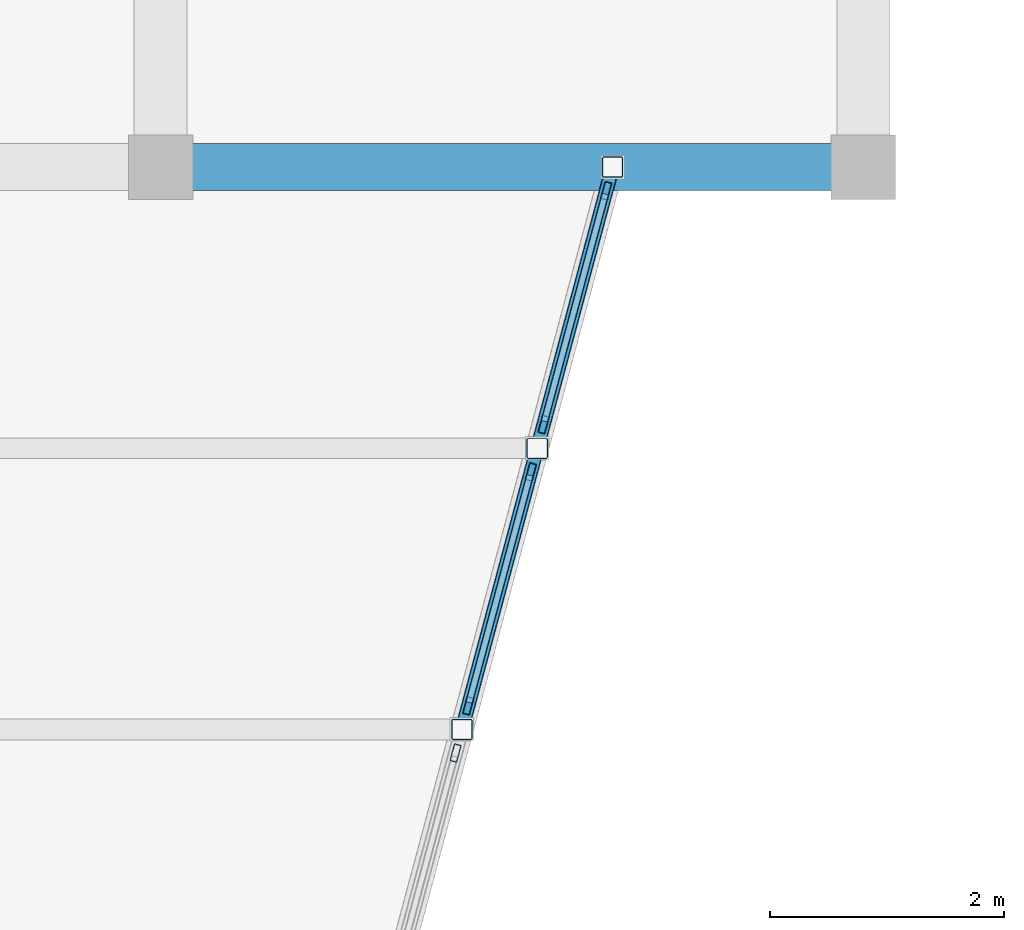
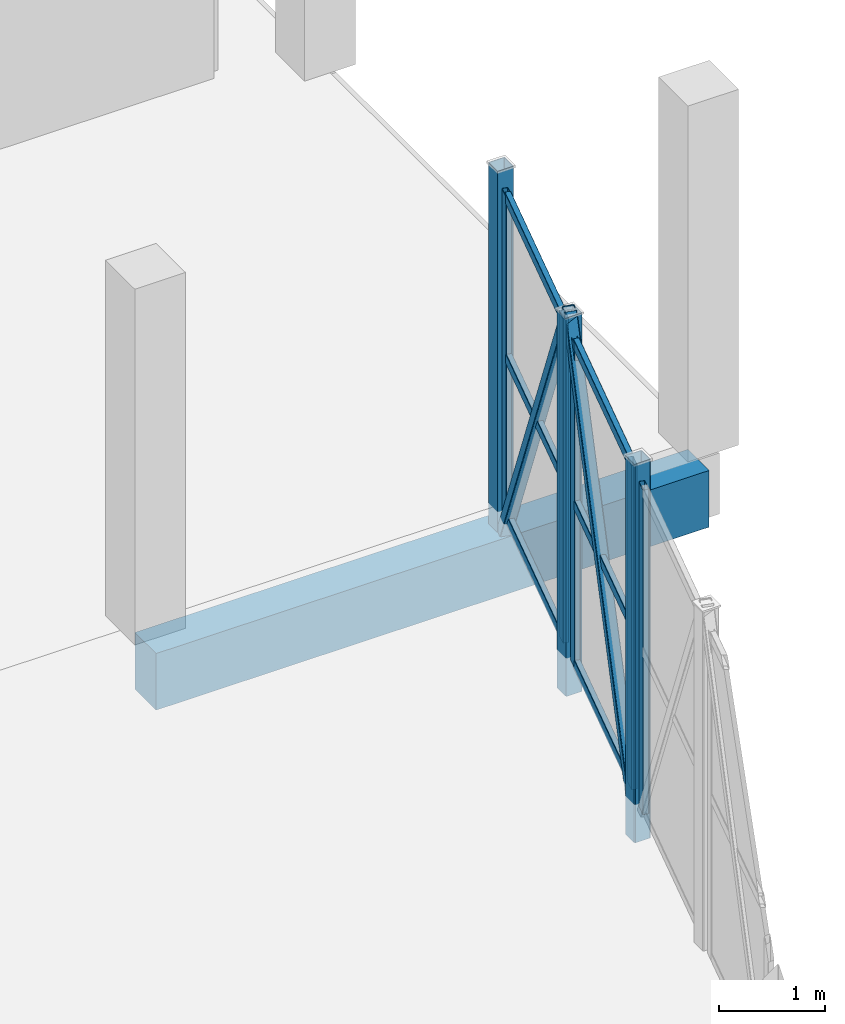
# One storey, part 90 of 127: 16 members, 1 beam, 3 elements without a shape of their own.
"""IFC4 building model written with IfcOpenShell, lengths in metres."""

from ifc_helpers import new_model, si_unit, direction, frame, origin, origin_2d, place, context, subcontext, project, spatial, rectangle, hollow_rectangle, extrude, material, layer, layer_set, material_profile, profile_set, type_object, element, aggregate, save


model = new_model("IFC4")

# Units and contexts
model_context = context("Model", 3, precision=1e-05, world=origin(), true_north=direction((0.0, 1.0)))
body_context = subcontext(model_context, "Body", "Model", "MODEL_VIEW")
ifc_project = project(units=[si_unit("LENGTHUNIT", "METRE"), si_unit("AREAUNIT", "SQUARE_METRE"), si_unit("VOLUMEUNIT", "CUBIC_METRE"), si_unit("PLANEANGLEUNIT", "RADIAN"), si_unit("MASSUNIT", "GRAM", prefix="KILO")], contexts=[model_context])

# Site, building, storey
site_placement = place(None, origin())
site = spatial("IfcSite", under=ifc_project, at=site_placement, CompositionType="ELEMENT")
building_placement = place(site_placement, origin())
building = spatial("IfcBuilding", under=site, at=building_placement, Name="Dunvalen Ferry Terminal", CompositionType="ELEMENT")
storey_placement = place(building_placement, frame((0.0, 0.0, 5.760009765625)))
storey = spatial("IfcBuildingStorey", under=building, at=storey_placement, Name="L01", CompositionType="ELEMENT", Elevation=5.760009765625)

# Curtain wall, member
ifc_material_1 = material(Name="Anodised marine aluminium and solar-control glazing", Category="aluminium")
ifc_layer = layer(ifc_material_1, 0.159912109375, Name="Anodised marine aluminium and solar-control glazing")
ifc_layer_set = layer_set([ifc_layer], Name="Anodised marine aluminium and solar-control glazing")
curtain_wall_type = type_object("IfcCurtainWallType", Name="ENV-CW-SYS-07", PredefinedType="NOTDEFINED", material=ifc_layer_set)
curtain_wall_1_placement = place(storey_placement, origin())
curtain_wall_1 = element("IfcCurtainWall", 1, at=curtain_wall_1_placement, inside=storey, type_object=curtain_wall_type, Name="L01 Curtain Wall CW-BRG2-S2-4", PredefinedType="NOTDEFINED")
ifc_material_2 = material(Name="Anodised marine aluminium EN AW-6063 T6", Category="aluminium")
ifc_material_profile_1 = material_profile(ifc_material_2, hollow_rectangle(XDim=0.06005859375, YDim=0.14990234375, WallThickness=0.00341796875, InnerFilletRadius=0.00341796875, OuterFilletRadius=0.007080078125, at=origin_2d()), Name="Anodised marine aluminium EN AW-6063 T6")
ifc_profile_set_1 = profile_set([ifc_material_profile_1], Name="Anodised marine aluminium EN AW-6063 T6")
member_type_1 = type_object("IfcMemberType", Name="ENV-CW-MUL-3", PredefinedType="MULLION", material=ifc_profile_set_1)
member_1_placement = place(storey_placement, frame((140.518310546875, 95.79833984375, 0.0), z_axis=(0.0, 0.0, 1.0), x_axis=(-0.965934620531, 0.258786222315, 0.0)))
member_1 = element("IfcMember", 2, at=member_1_placement, type_object=member_type_1, Name="CW-07 mullion 2", PredefinedType="MULLION", context=body_context, shape_type="SweptSolid", body=[
    extrude(hollow_rectangle(XDim=0.06005859375, YDim=0.14990234375, WallThickness=0.00341796875, InnerFilletRadius=0.00341796875, OuterFilletRadius=0.007080078125, at=origin_2d()), origin(), (0.0, 0.0, 1.0), 3.719970703125),
])
aggregate(curtain_wall_1, [member_1])

# Curtain wall, members
curtain_wall_2_placement = place(storey_placement, origin())
curtain_wall_2 = element("IfcCurtainWall", 3, at=curtain_wall_2_placement, inside=storey, type_object=curtain_wall_type, Name="L01 Curtain Wall CW-BRG2-S2-5", PredefinedType="NOTDEFINED")
member_2_placement = place(storey_placement, frame((140.62646484375, 96.20166015625, 0.0), z_axis=(0.0, 0.0, 1.0), x_axis=(-0.9659228666, 0.258830090561, 0.0)))
member_2 = element("IfcMember", 4, at=member_2_placement, type_object=member_type_1, Name="CW-07 mullion 1", PredefinedType="MULLION", context=body_context, shape_type="SweptSolid", body=[
    extrude(hollow_rectangle(XDim=0.06005859375, YDim=0.14990234375, WallThickness=0.00341796875, InnerFilletRadius=0.00341796875, OuterFilletRadius=0.007080078125, at=origin_2d()), origin(), (0.0, 0.0, 1.0), 3.719970703125),
])
member_3_placement = place(storey_placement, frame((141.161376953125, 98.1982421875, 0.0), z_axis=(0.0, 0.0, 1.0), x_axis=(-0.9659228666, 0.258830090561, 0.0)))
member_3 = element("IfcMember", 5, at=member_3_placement, type_object=member_type_1, Name="CW-07 mullion 2", PredefinedType="MULLION", context=body_context, shape_type="SweptSolid", body=[
    extrude(hollow_rectangle(XDim=0.06005859375, YDim=0.14990234375, WallThickness=0.00341796875, InnerFilletRadius=0.00341796875, OuterFilletRadius=0.007080078125, at=origin_2d()), origin(), (0.0, 0.0, 1.0), 3.719970703125),
])

curtain_wall_3_placement = place(storey_placement, origin())
curtain_wall_3 = element("IfcCurtainWall", 6, at=curtain_wall_3_placement, inside=storey, type_object=curtain_wall_type, Name="L01 Curtain Wall CW-BRG2-S2-6", PredefinedType="NOTDEFINED")
member_4_placement = place(storey_placement, frame((141.26953125, 98.601806640625, 0.0), z_axis=(0.0, 0.0, 1.0), x_axis=(-0.9659228666, 0.258830090561, 0.0)))
member_4 = element("IfcMember", 7, at=member_4_placement, type_object=member_type_1, Name="CW-07 mullion 1", PredefinedType="MULLION", context=body_context, shape_type="SweptSolid", body=[
    extrude(hollow_rectangle(XDim=0.06005859375, YDim=0.14990234375, WallThickness=0.00341796875, InnerFilletRadius=0.00341796875, OuterFilletRadius=0.007080078125, at=origin_2d()), origin(), (0.0, 0.0, 1.0), 3.719970703125),
])
member_5_placement = place(storey_placement, frame((141.804443359375, 100.59814453125, 0.0), z_axis=(0.0, 0.0, 1.0), x_axis=(-0.9659228666, 0.258830090561, 0.0)))
member_5 = element("IfcMember", 8, at=member_5_placement, type_object=member_type_1, Name="CW-07 mullion 2", PredefinedType="MULLION", context=body_context, shape_type="SweptSolid", body=[
    extrude(hollow_rectangle(XDim=0.06005859375, YDim=0.14990234375, WallThickness=0.00341796875, InnerFilletRadius=0.00341796875, OuterFilletRadius=0.007080078125, at=origin_2d()), origin(), (0.0, 0.0, 1.0), 3.719970703125),
])

# Member
ifc_material_profile_2 = material_profile(ifc_material_2, hollow_rectangle(XDim=0.06005859375, YDim=0.114990234375, WallThickness=0.0029296875, InnerFilletRadius=0.0029296875, OuterFilletRadius=0.006103515625, at=origin_2d()), Name="Anodised marine aluminium EN AW-6063 T6")
ifc_profile_set_2 = profile_set([ifc_material_profile_2], Name="Anodised marine aluminium EN AW-6063 T6")
member_type_2 = type_object("IfcMemberType", Name="ENV-CW-TRN-3", PredefinedType="USERDEFINED", material=ifc_profile_set_2)
member_6_placement = place(storey_placement, frame((140.634033203125, 96.230712890625, 0.030029296875), z_axis=(0.258873913014, 0.965911122806, 0.0), x_axis=(-0.965911122806, 0.258873913014, 0.0)))
member_6 = element("IfcMember", 9, at=member_6_placement, type_object=member_type_2, Name="CW-07 transom 1.1", ObjectType="TRANSOM", PredefinedType="USERDEFINED", context=body_context, shape_type="SweptSolid", body=[
    extrude(hollow_rectangle(XDim=0.06005859375, YDim=0.114990234375, WallThickness=0.0029296875, InnerFilletRadius=0.0029296875, OuterFilletRadius=0.006103515625, at=origin_2d()), origin(), (0.0, 0.0, 1.0), 2.0068359375),
])

member_7_placement = place(storey_placement, frame((140.634033203125, 96.230712890625, 1.860107421875), z_axis=(0.258873913014, 0.965911122806, 0.0), x_axis=(-0.965911122806, 0.258873913014, 0.0)))
member_7 = element("IfcMember", 10, at=member_7_placement, type_object=member_type_2, Name="CW-07 transom 1.2", ObjectType="TRANSOM", PredefinedType="USERDEFINED", context=body_context, shape_type="SweptSolid", body=[
    extrude(hollow_rectangle(XDim=0.06005859375, YDim=0.114990234375, WallThickness=0.0029296875, InnerFilletRadius=0.0029296875, OuterFilletRadius=0.006103515625, at=origin_2d()), origin(), (0.0, 0.0, 1.0), 2.0068359375),
])

member_8_placement = place(storey_placement, frame((140.634033203125, 96.230712890625, 3.68994140625), z_axis=(0.258873913014, 0.965911122806, 0.0), x_axis=(-0.965911122806, 0.258873913014, 0.0)))
member_8 = element("IfcMember", 11, at=member_8_placement, type_object=member_type_2, Name="CW-07 transom 1.3", ObjectType="TRANSOM", PredefinedType="USERDEFINED", context=body_context, shape_type="SweptSolid", body=[
    extrude(hollow_rectangle(XDim=0.06005859375, YDim=0.114990234375, WallThickness=0.0029296875, InnerFilletRadius=0.0029296875, OuterFilletRadius=0.006103515625, at=origin_2d()), origin(), (0.0, 0.0, 1.0), 2.0068359375),
])

aggregate(curtain_wall_2, [member_2, member_3, member_6, member_7, member_8])

member_9_placement = place(storey_placement, frame((141.27734375, 98.630859375, 0.030029296875), z_axis=(0.258760408924, 0.965941535898, 0.0), x_axis=(-0.965941535898, 0.258760408924, 0.0)))
member_9 = element("IfcMember", 12, at=member_9_placement, type_object=member_type_2, Name="CW-07 transom 1.1", ObjectType="TRANSOM", PredefinedType="USERDEFINED", context=body_context, shape_type="SweptSolid", body=[
    extrude(hollow_rectangle(XDim=0.06005859375, YDim=0.114990234375, WallThickness=0.0029296875, InnerFilletRadius=0.0029296875, OuterFilletRadius=0.006103515625, at=origin_2d()), origin(), (0.0, 0.0, 1.0), 2.0068359375),
])

member_10_placement = place(storey_placement, frame((141.27734375, 98.630859375, 1.860107421875), z_axis=(0.258760408924, 0.965941535898, 0.0), x_axis=(-0.965941535898, 0.258760408924, 0.0)))
member_10 = element("IfcMember", 13, at=member_10_placement, type_object=member_type_2, Name="CW-07 transom 1.2", ObjectType="TRANSOM", PredefinedType="USERDEFINED", context=body_context, shape_type="SweptSolid", body=[
    extrude(hollow_rectangle(XDim=0.06005859375, YDim=0.114990234375, WallThickness=0.0029296875, InnerFilletRadius=0.0029296875, OuterFilletRadius=0.006103515625, at=origin_2d()), origin(), (0.0, 0.0, 1.0), 2.0068359375),
])

member_11_placement = place(storey_placement, frame((141.27734375, 98.630859375, 3.68994140625), z_axis=(0.258760408924, 0.965941535898, 0.0), x_axis=(-0.965941535898, 0.258760408924, 0.0)))
member_11 = element("IfcMember", 14, at=member_11_placement, type_object=member_type_2, Name="CW-07 transom 1.3", ObjectType="TRANSOM", PredefinedType="USERDEFINED", context=body_context, shape_type="SweptSolid", body=[
    extrude(hollow_rectangle(XDim=0.06005859375, YDim=0.114990234375, WallThickness=0.0029296875, InnerFilletRadius=0.0029296875, OuterFilletRadius=0.006103515625, at=origin_2d()), origin(), (0.0, 0.0, 1.0), 2.0068359375),
])

aggregate(curtain_wall_3, [member_4, member_5, member_9, member_10, member_11])

# Beam
ifc_material_3 = material(Name="Concrete C40/50", Category="concrete")
ifc_material_profile_3 = material_profile(ifc_material_3, rectangle(XDim=0.39990234375, YDim=0.64990234375, at=origin_2d()), Name="Concrete C40/50")
ifc_profile_set_3 = profile_set([ifc_material_profile_3], Name="Concrete C40/50")
beam_type = type_object("IfcBeamType", Name="STR-BM-RCB650", PredefinedType="BEAM", material=ifc_profile_set_3)
beam_placement = place(storey_placement, frame((138.0, 100.800048828125, -0.56494140625), z_axis=(1.0, 0.0, 0.0), x_axis=(0.0, 1.0, 0.0)))
element("IfcBeam", 15, at=beam_placement, inside=storey, type_object=beam_type, Name="L01 V3B2 Primary Beam X-004", PredefinedType="BEAM", context=body_context, shape_type="SweptSolid", body=[
    extrude(rectangle(XDim=0.39990234375, YDim=0.64990234375, at=origin_2d()), origin(), (0.0, 0.0, 1.0), 6.0),
])

# Members
ifc_material_4 = material(Name="Steel S355", Category="steel")
ifc_material_profile_4 = material_profile(ifc_material_4, hollow_rectangle(XDim=0.1201171875, YDim=0.1201171875, WallThickness=0.00634765625, InnerFilletRadius=0.00634765625, OuterFilletRadius=0.0126953125, at=origin_2d()), Name="Steel S355")
ifc_profile_set_4 = profile_set([ifc_material_profile_4], Name="Steel S355")
member_type_3 = type_object("IfcMemberType", Name="STR-MB-SHS120", PredefinedType="BRACE", material=ifc_profile_set_4)
for number, where, z_axis, x_axis, name in (
    (16, (140.572265625, 96.0, -0.43994140625), (0.128594483559, 0.479910316395, 0.867841890563), (-0.965924366126, 0.258824494443, 0.0), "Boarding Bridge 2 Warren Diagonal 2.5"),
    (17, (141.21533203125, 98.39990234375, 3.89990234375), (0.128591470582, 0.47994789191, -0.867821556972), (-0.965930947833, 0.258799930484, 0.0), "Boarding Bridge 2 Warren Diagonal 2.6"),
):
    element("IfcMember", number, at=place(storey_placement, frame(where, z_axis=z_axis, x_axis=x_axis)), inside=storey, type_object=member_type_3, Name=name, PredefinedType="BRACE", context=body_context, shape_type="SweptSolid", body=[
        extrude(hollow_rectangle(XDim=0.1201171875, YDim=0.1201171875, WallThickness=0.00634765625, InnerFilletRadius=0.00634765625, OuterFilletRadius=0.0126953125, at=origin_2d()), origin(), (0.0, 0.0, 1.0), 5.000732421875),
    ])
ifc_material_profile_5 = material_profile(ifc_material_4, hollow_rectangle(XDim=0.179931640625, YDim=0.179931640625, WallThickness=0.008056640625, InnerFilletRadius=0.008056640625, OuterFilletRadius=0.01611328125, at=origin_2d()), Name="Steel S355")
ifc_profile_set_5 = profile_set([ifc_material_profile_5], Name="Steel S355")
member_type_4 = type_object("IfcMemberType", Name="STR-MB-SHS180", PredefinedType="STRUT", material=ifc_profile_set_5)
for number, where, z_axis, x_axis, name in (
    (18, (140.572265625, 96.0, -0.43994140625), (0.0, 0.0, 1.0), (1.0, 0.0, 0.0), "Boarding Bridge 2 Truss Post 2.4"),
    (19, (141.21533203125, 98.39990234375, -0.43994140625), (0.0, 0.0, 1.0), (1.0, 0.0, 0.0), "Boarding Bridge 2 Truss Post 2.5"),
    (20, (141.8583984375, 100.800048828125, -0.43994140625), (0.0, 0.0, 1.0), (1.0, 0.0, 0.0), "Boarding Bridge 2 Truss Post 2.6"),
):
    element("IfcMember", number, at=place(storey_placement, frame(where, z_axis=z_axis, x_axis=x_axis)), inside=storey, type_object=member_type_4, Name=name, PredefinedType="STRUT", context=body_context, shape_type="SweptSolid", body=[
        extrude(hollow_rectangle(XDim=0.179931640625, YDim=0.179931640625, WallThickness=0.008056640625, InnerFilletRadius=0.008056640625, OuterFilletRadius=0.01611328125, at=origin_2d()), origin(), (0.0, 0.0, 1.0), 4.33984375),
    ])

save(model, "model.ifc")
